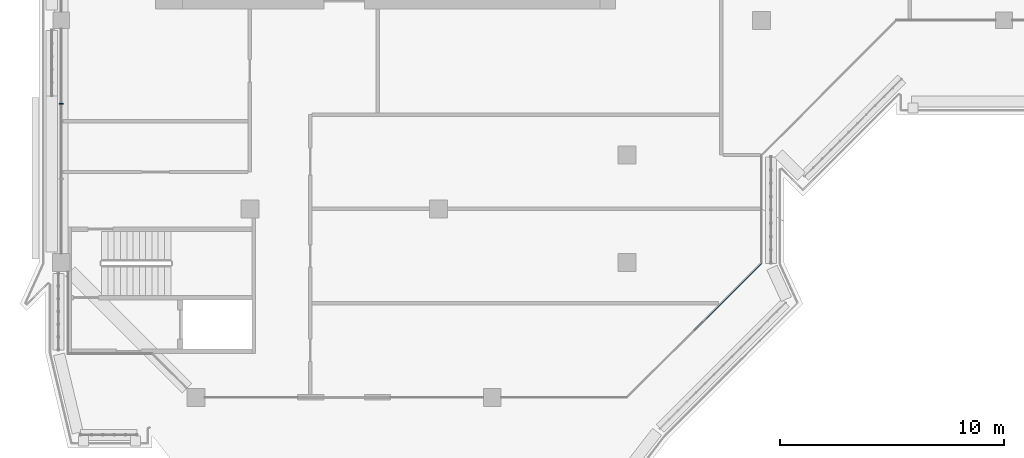
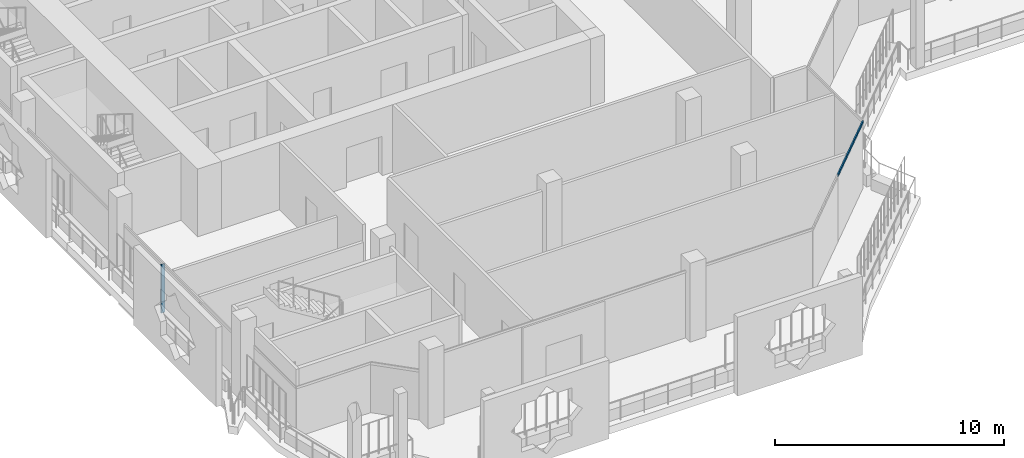
# One storey, part 3 of 21: 2 members, 2 elements without a shape of their own.
"""IFC4 building model written with IfcOpenShell, lengths in metres."""

from ifc_helpers import new_model, si_unit, direction, frame, origin, origin_2d, place, context, subcontext, project, spatial, rectangle, extrude, material, layer, layer_set, material_profile, profile_set, type_object, element, aggregate, save


model = new_model("IFC4")

# Units and contexts
model_context = context("Model", 3, precision=1e-05, world=origin(), true_north=direction((0.0, 1.0)))
body_context = subcontext(model_context, "Body", "Model", "MODEL_VIEW")
ifc_project = project(units=[si_unit("LENGTHUNIT", "METRE"), si_unit("AREAUNIT", "SQUARE_METRE"), si_unit("VOLUMEUNIT", "CUBIC_METRE"), si_unit("PLANEANGLEUNIT", "RADIAN"), si_unit("MASSUNIT", "GRAM", prefix="KILO")], contexts=[model_context])

# Site, building, storey
site_placement = place(None, origin())
site = spatial("IfcSite", under=ifc_project, at=site_placement, CompositionType="ELEMENT")
building_placement = place(site_placement, origin())
building = spatial("IfcBuilding", under=site, at=building_placement, Name="Kawkab Arch Medical Tower", CompositionType="ELEMENT")
storey_placement = place(building_placement, frame((0.0, 0.0, 311.199951171875)))
storey = spatial("IfcBuildingStorey", under=building, at=storey_placement, Name="L72", CompositionType="ELEMENT", Elevation=311.199951171875)

# Curtain wall, member
ifc_material_1 = material(Name="Bronze anodised aluminium curtain wall frame", Category="aluminium")
ifc_layer_1 = layer(ifc_material_1, 0.159912109375)
ifc_layer_set_1 = layer_set([ifc_layer_1], Name="Bronze anodised aluminium curtain wall frame")
curtain_wall_type_1 = type_object("IfcCurtainWallType", Name="CW1 ward curtain wall", PredefinedType="NOTDEFINED", material=ifc_layer_set_1)
placement = place(storey_placement, origin())
curtain_wall_1 = element("IfcCurtainWall", 1, at=placement, inside=storey, type_object=curtain_wall_type_1, Name="CW1 Ward curtain wall R02", PredefinedType="NOTDEFINED")
ifc_material_2 = material(Name="Bronze anodised aluminium curtain wall frame", Category="aluminium")
ifc_material_profile_1 = material_profile(ifc_material_2, rectangle(XDim=0.179931640625, YDim=0.06005859375, at=origin_2d()), Name="AL 60x180")
ifc_profile_set_1 = profile_set([ifc_material_profile_1], Name="Bronze anodised aluminium curtain wall frame")
member_type_1 = type_object("IfcMemberType", Name="CW1 mullion 60 x 180", PredefinedType="MULLION", material=ifc_profile_set_1)
member_1_placement = place(storey_placement, frame((0.0, -28.916748046875, 0.0), z_axis=(0.0, 0.0, 1.0), x_axis=(1.0, 0.0, 0.0)))
member_1 = element("IfcMember", 2, at=member_1_placement, type_object=member_type_1, Name="CW1 mullion 3.1", PredefinedType="MULLION", context=body_context, shape_type="SweptSolid", body=[
    extrude(rectangle(XDim=0.179931640625, YDim=0.06005859375, at=origin_2d()), origin(), (0.0, 0.0, 1.0), 2.580078125),
])
aggregate(curtain_wall_1, [member_1])

ifc_material_3 = material(Name="Bronze anodised aluminium curtain wall frame", Category="aluminium")
ifc_layer_2 = layer(ifc_material_3, 0.159912109375)
ifc_layer_set_2 = layer_set([ifc_layer_2], Name="Bronze anodised aluminium curtain wall frame")
curtain_wall_type_2 = type_object("IfcCurtainWallType", Name="CW2 chamfer curtain wall", PredefinedType="NOTDEFINED", material=ifc_layer_set_2)
curtain_wall_2 = element("IfcCurtainWall", 3, at=placement, inside=storey, type_object=curtain_wall_type_2, Name="CW2 Chamfer curtain wall R08", PredefinedType="NOTDEFINED")
ifc_material_4 = material(Name="Bronze anodised aluminium curtain wall frame", Category="aluminium")
ifc_material_profile_2 = material_profile(ifc_material_4, rectangle(XDim=0.06005859375, YDim=0.139892578125, at=origin_2d()), Name="AL 60x140")
ifc_profile_set_2 = profile_set([ifc_material_profile_2], Name="Bronze anodised aluminium curtain wall frame")
member_type_2 = type_object("IfcMemberType", Name="CW2 transom 140 x 60", PredefinedType="USERDEFINED", material=ifc_profile_set_2)
member_2_placement = place(storey_placement, frame((28.199951171875, -39.0, 3.530029296875), z_axis=(0.707106781187, 0.707106781187, 0.0), x_axis=(-0.707106781187, 0.707106781187, 0.0)))
member_2 = element("IfcMember", 4, at=member_2_placement, type_object=member_type_2, Name="CW2 transom 2", ObjectType="TRANSOM", PredefinedType="USERDEFINED", context=body_context, shape_type="SweptSolid", body=[
    extrude(rectangle(XDim=0.06005859375, YDim=0.139892578125, at=origin_2d()), origin(), (0.0, 0.0, 1.0), 4.24267578125),
])
aggregate(curtain_wall_2, [member_2])

save(model, "model.ifc")
